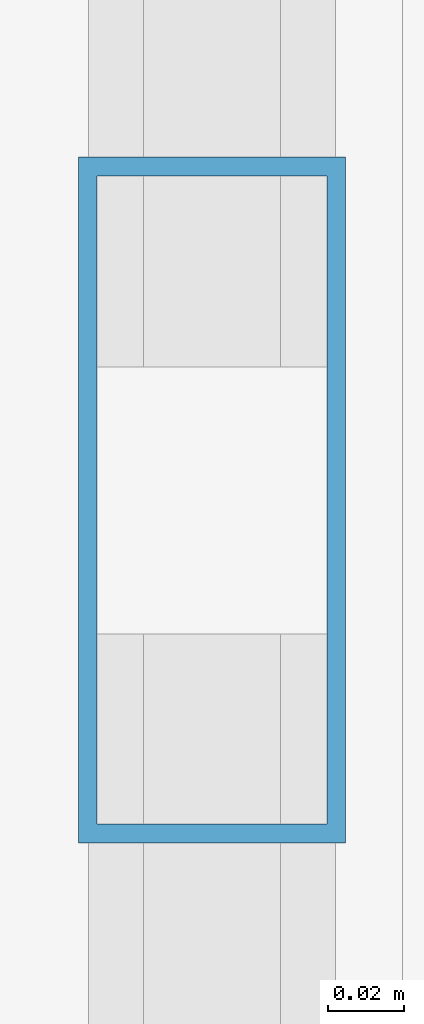
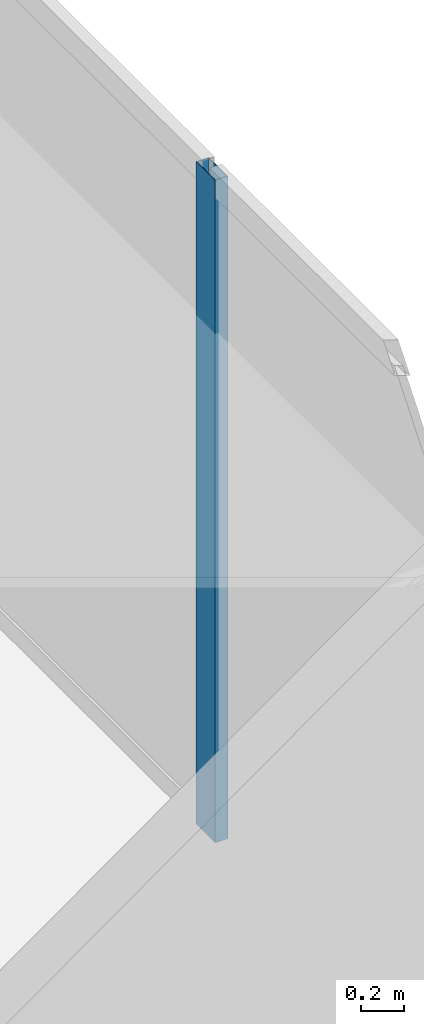
# One storey, part 24 of 36: 1 member, 1 element without a shape of its own.
"""IFC4 building model written with IfcOpenShell, lengths in metres."""

from ifc_helpers import new_model, si_unit, direction, frame, origin, origin_2d, place, context, subcontext, project, spatial, hollow_rectangle, extrude, source, transform, mapped, material, layer, layer_set, material_profile, profile_set, type_object, type_shapes, element, aggregate, save


model = new_model("IFC4")

# Units and contexts
model_context = context("Model", 3, precision=1e-05, world=origin(), true_north=direction((0.0, 1.0)))
body_context = subcontext(model_context, "Body", "Model", "MODEL_VIEW")
ifc_project = project(units=[si_unit("LENGTHUNIT", "METRE"), si_unit("AREAUNIT", "SQUARE_METRE"), si_unit("VOLUMEUNIT", "CUBIC_METRE"), si_unit("PLANEANGLEUNIT", "RADIAN"), si_unit("MASSUNIT", "GRAM", prefix="KILO")], contexts=[model_context])

# Site, building, storey
site_placement = place(None, origin())
site = spatial("IfcSite", under=ifc_project, at=site_placement, CompositionType="ELEMENT")
building_placement = place(site_placement, origin())
building = spatial("IfcBuilding", under=site, at=building_placement, Name="Haelvirn Gate Laboratories", CompositionType="ELEMENT")
storey_placement = place(building_placement, frame((0.0, 0.0, 242.39990234375)))
storey = spatial("IfcBuildingStorey", under=building, at=storey_placement, Name="L58", CompositionType="ELEMENT", Elevation=242.39990234375)

# Curtain wall, member
ifc_material_1 = material(Name="Anodised bronze unitised aluminium & triple low-E glass", Category="aluminium")
ifc_layer = layer(ifc_material_1, 0.176025390625, Name="CW-SYS-4")
ifc_layer_set = layer_set([ifc_layer], Name="Anodised bronze unitised aluminium & triple low-E glass")
curtain_wall_type = type_object("IfcCurtainWallType", Name="CW-SYS-4", PredefinedType="NOTDEFINED", material=ifc_layer_set)
curtain_wall_placement = place(storey_placement, origin())
curtain_wall = element("IfcCurtainWall", 1, at=curtain_wall_placement, inside=storey, type_object=curtain_wall_type, Name="L58 Unitised Curtain Wall CW-L58-P0-E07", PredefinedType="NOTDEFINED")
ifc_material_2 = material(Name="Extruded aluminium 6063-T6 (anodised bronze)", Category="aluminium")
ifc_material_profile = material_profile(ifc_material_2, hollow_rectangle(XDim=0.070068359375, YDim=0.179931640625, WallThickness=0.0048828125, at=origin_2d()), Name="CWM-180x70x5")
ifc_profile_set = profile_set([ifc_material_profile], Name="Extruded aluminium 6063-T6 (anodised bronze)")
member_type = type_object("IfcMemberType", Name="CWM-T180", PredefinedType="MULLION", material=ifc_profile_set)
shared_shape = source(origin(), body_context, "Body", "SweptSolid", [
    extrude(hollow_rectangle(XDim=0.070068359375, YDim=0.179931640625, WallThickness=0.0048828125, at=origin_2d()), origin(), (0.0, 0.0, 1.0), 3.800048828125),
])
type_shapes(member_type, [shared_shape])
member_placement = place(storey_placement, frame((70.699951171875, 24.300048828125, 0.0), z_axis=(0.0, 0.0, 1.0), x_axis=(-1.0, 0.0, 0.0)))
member = element("IfcMember", 2, at=member_placement, type_object=member_type, Name="CW4 mullion 2", PredefinedType="MULLION", context=body_context, shape_type="MappedRepresentation", body=[
    mapped(shared_shape, transform((0.0, 0.0, 0.0), scale=1.0)),
])
aggregate(curtain_wall, [member])

save(model, "model.ifc")
